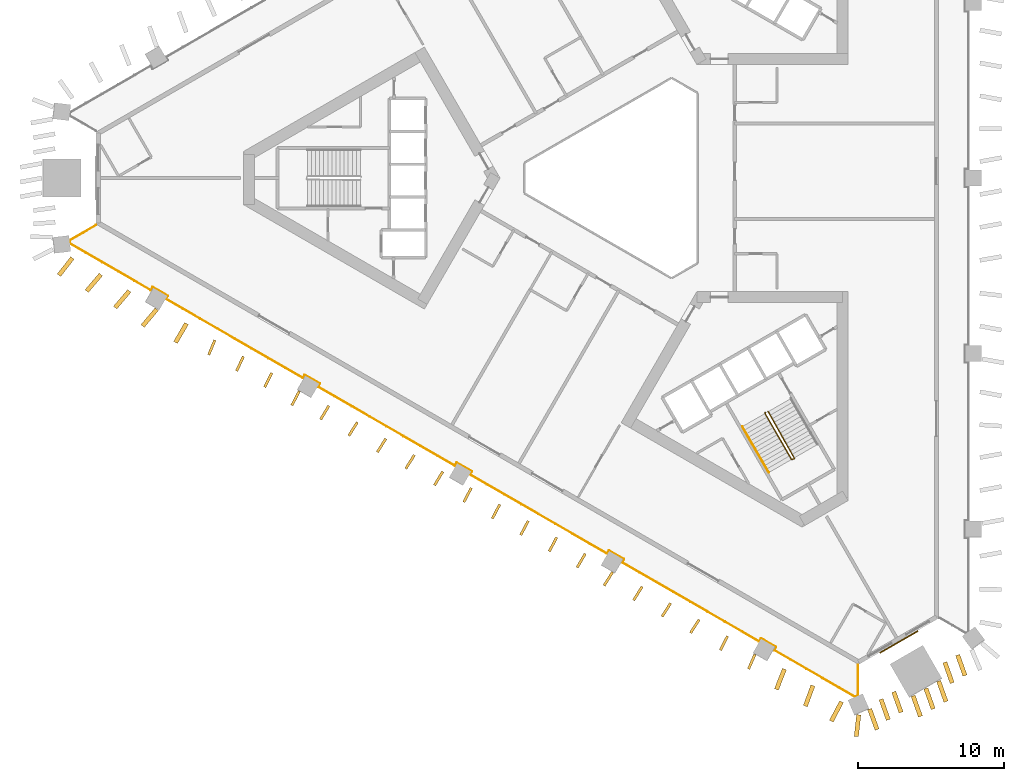
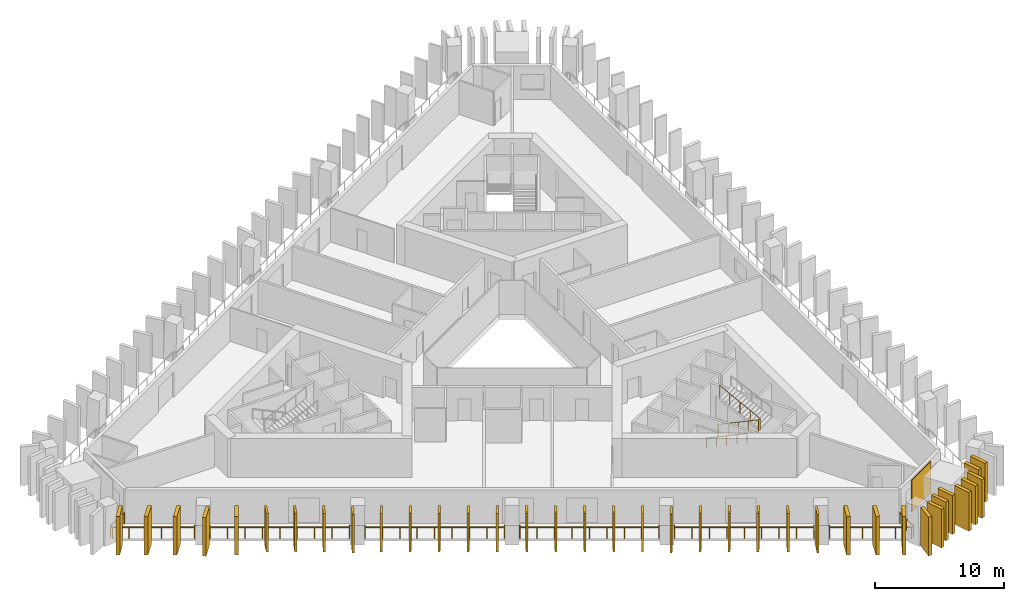
# One storey, part 7 of 10: 37 shading devices, 3 railings, 1 covering.
"""IFC4 building model written with IfcOpenShell, lengths in metres."""

from ifc_helpers import new_model, si_unit, direction, frame, frame_2d, origin, origin_2d, place, context, subcontext, project, spatial, rectangle, circle, extrude, material, layer, layer_set, type_object, element, save


model = new_model("IFC4")

# Units and contexts
model_context = context("Model", 3, precision=1e-05, world=origin(), true_north=direction((0.0, 1.0)))
body_context = subcontext(model_context, "Body", "Model", "MODEL_VIEW")
ifc_project = project(units=[si_unit("LENGTHUNIT", "METRE"), si_unit("AREAUNIT", "SQUARE_METRE"), si_unit("VOLUMEUNIT", "CUBIC_METRE"), si_unit("PLANEANGLEUNIT", "RADIAN"), si_unit("MASSUNIT", "GRAM", prefix="KILO")], contexts=[model_context])

# Site, building, storey
site_placement = place(None, origin())
site = spatial("IfcSite", under=ifc_project, at=site_placement, CompositionType="ELEMENT")
building_placement = place(site_placement, origin())
building = spatial("IfcBuilding", under=site, at=building_placement, Name="Jabali Bay Hotel Tower and Convention Centre", CompositionType="ELEMENT")
storey_placement = place(building_placement, frame((0.0, 0.0, 57.300048828125)))
storey = spatial("IfcBuildingStorey", under=building, at=storey_placement, Name="L12", CompositionType="ELEMENT", Elevation=57.300048828125)

# Railing
ifc_material_1 = material(Name="Glass", Category="glass")
railing_type_1 = type_object("IfcRailingType", Name="Loggia glass guard 1100", PredefinedType="BALUSTRADE", material=ifc_material_1)
railing_1_placement = place(storey_placement, frame((90.560302734375, 46.595703125, 0.0)))
element("IfcRailing", 1, at=railing_1_placement, inside=storey, type_object=railing_type_1, Name="Loggia glass guard L12", PredefinedType="BALUSTRADE", context=body_context, shape_type="SweptSolid", body=[
    extrude(circle(Radius=0.02490234375, at=origin_2d()), frame((0.0, 0.0, 1.0751953125), z_axis=(0.0, -1.0, 0.0), x_axis=(0.991444861374, 0.0, 0.13052619222)), (0.0, 0.0, 1.0), 2.110595703125),
    extrude(circle(Radius=0.02490234375, at=origin_2d()), frame((0.0, -2.110595703125, 1.0751953125), z_axis=(-0.918259892691, -0.395978243688, 0.0), x_axis=(0.392590594921, -0.910404052014, 0.13052619222)), (0.0, 0.0, 1.0), 0.214599609375),
    extrude(circle(Radius=0.02490234375, at=origin_2d()), frame((-0.197021484375, -2.195556640625, 1.0751953125), z_axis=(-0.866042182234, 0.499970937746, 0.0), x_axis=(-0.495693617065, -0.858633071309, 0.13052619222)), (0.0, 0.0, 1.0), 6.4072265625),
    extrude(circle(Radius=0.02490234375, at=origin_2d()), frame((-5.745849609375, 1.0078125, 1.0751953125), z_axis=(0.499919672301, 0.866071776036, 0.0), x_axis=(-0.858662411932, 0.495642790202, 0.13052619222)), (0.0, 0.0, 1.0), 0.25),
    extrude(circle(Radius=0.02490234375, at=origin_2d()), frame((-5.620849609375, 1.224365234375, 1.0751953125), z_axis=(-0.865955154139, 0.50012165622, 0.0), x_axis=(-0.495843046121, -0.858546787751, 0.13052619222)), (0.0, 0.0, 1.0), 1.199951171875),
    extrude(circle(Radius=0.02490234375, at=origin_2d()), frame((-6.659912109375, 1.824462890625, 1.0751953125), z_axis=(-0.499919672301, -0.866071776036, 0.0), x_axis=(0.858662411932, -0.495642790202, 0.13052619222)), (0.0, 0.0, 1.0), 0.25),
    extrude(circle(Radius=0.02490234375, at=origin_2d()), frame((-6.784912109375, 1.60791015625, 1.0751953125), z_axis=(-0.866022945871, 0.500004257206, 0.0), x_axis=(-0.495726651472, -0.858613999516, 0.13052619222)), (0.0, 0.0, 1.0), 10.84912109375),
    extrude(circle(Radius=0.02490234375, at=origin_2d()), frame((-16.180419921875, 7.032470703125, 1.0751953125), z_axis=(0.500342721131, 0.865827443207, 0.0), x_axis=(-0.858420169404, 0.496062219791, 0.13052619222)), (0.0, 0.0, 1.0), 0.249755859375),
    extrude(circle(Radius=0.02490234375, at=origin_2d()), frame((-16.055419921875, 7.248779296875, 1.0751953125), z_axis=(-0.866006032174, 0.500033551112, 0.0), x_axis=(-0.495755694765, -0.858597230518, 0.13052619222)), (0.0, 0.0, 1.0), 1.2001953125),
    extrude(circle(Radius=0.02490234375, at=origin_2d()), frame((-17.0947265625, 7.848876953125, 1.0751953125), z_axis=(-0.499919672301, -0.866071776036, 0.0), x_axis=(0.858662411932, -0.495642790202, 0.13052619222)), (0.0, 0.0, 1.0), 0.25),
    extrude(circle(Radius=0.02490234375, at=origin_2d()), frame((-17.2197265625, 7.63232421875, 1.0751953125), z_axis=(-0.866017319748, 0.500014001701, 0.0), x_axis=(-0.495736312602, -0.858608421524, 0.13052619222)), (0.0, 0.0, 1.0), 10.848876953125),
    extrude(circle(Radius=0.02490234375, at=origin_2d()), frame((-26.614990234375, 13.056884765625, 1.0751953125), z_axis=(0.499919672301, 0.866071776036, 0.0), x_axis=(-0.858662411932, 0.495642790202, 0.13052619222)), (0.0, 0.0, 1.0), 0.25),
    extrude(circle(Radius=0.02490234375, at=origin_2d()), frame((-26.489990234375, 13.2734375, 1.0751953125), z_axis=(-0.866094119867, 0.499880961361, 0.0), x_axis=(-0.49560441044, -0.858684564609, 0.13052619222)), (0.0, 0.0, 1.0), 1.199951171875),
    extrude(circle(Radius=0.02490234375, at=origin_2d()), frame((-27.529296875, 13.873291015625, 1.0751953125), z_axis=(-0.499919672301, -0.866071776036, 0.0), x_axis=(0.858662411932, -0.495642790202, 0.13052619222)), (0.0, 0.0, 1.0), 0.25),
    extrude(circle(Radius=0.02490234375, at=origin_2d()), frame((-27.654296875, 13.65673828125, 1.0751953125), z_axis=(-0.866022945871, 0.500004257206, 0.0), x_axis=(-0.495726651472, -0.858613999516, 0.13052619222)), (0.0, 0.0, 1.0), 10.84912109375),
    extrude(circle(Radius=0.02490234375, at=origin_2d()), frame((-37.0498046875, 19.081298828125, 1.0751953125), z_axis=(0.499919672301, 0.866071776036, 0.0), x_axis=(-0.858662411932, 0.495642790202, 0.13052619222)), (0.0, 0.0, 1.0), 0.25),
    extrude(circle(Radius=0.02490234375, at=origin_2d()), frame((-36.9248046875, 19.2978515625, 1.0751953125), z_axis=(-0.866094119867, 0.499880961361, 0.0), x_axis=(-0.49560441044, -0.858684564609, 0.13052619222)), (0.0, 0.0, 1.0), 1.199951171875),
    extrude(circle(Radius=0.02490234375, at=origin_2d()), frame((-37.964111328125, 19.897705078125, 1.0751953125), z_axis=(-0.499919672301, -0.866071776036, 0.0), x_axis=(0.858662411932, -0.495642790202, 0.13052619222)), (0.0, 0.0, 1.0), 0.25),
    extrude(circle(Radius=0.02490234375, at=origin_2d()), frame((-38.089111328125, 19.68115234375, 1.0751953125), z_axis=(-0.866017319748, 0.500014001701, 0.0), x_axis=(-0.495736312602, -0.858608421524, 0.13052619222)), (0.0, 0.0, 1.0), 10.848876953125),
    extrude(circle(Radius=0.02490234375, at=origin_2d()), frame((-47.484375, 25.105712890625, 1.0751953125), z_axis=(0.499919672301, 0.866071776036, 0.0), x_axis=(-0.858662411932, 0.495642790202, 0.13052619222)), (0.0, 0.0, 1.0), 0.25),
    extrude(circle(Radius=0.02490234375, at=origin_2d()), frame((-47.359375, 25.322265625, 1.0751953125), z_axis=(-0.866094119867, 0.499880961361, 0.0), x_axis=(-0.49560441044, -0.858684564609, 0.13052619222)), (0.0, 0.0, 1.0), 1.199951171875),
    extrude(circle(Radius=0.02490234375, at=origin_2d()), frame((-48.398681640625, 25.922119140625, 1.0751953125), z_axis=(-0.500342721131, -0.865827443207, 0.0), x_axis=(0.858420169404, -0.496062219791, 0.13052619222)), (0.0, 0.0, 1.0), 0.249755859375),
    extrude(circle(Radius=0.02490234375, at=origin_2d()), frame((-48.523681640625, 25.705810546875, 1.0751953125), z_axis=(-0.866032656711, 0.499987437352, 0.0), x_axis=(-0.495709975514, -0.858623627278, 0.13052619222)), (0.0, 0.0, 1.0), 6.406982421875),
    extrude(circle(Radius=0.02490234375, at=origin_2d()), frame((-54.072265625, 28.9091796875, 1.0751953125), z_axis=(-0.115918072513, 0.993258778197, 0.0), x_axis=(-0.984761311658, -0.114926377333, 0.13052619222)), (0.0, 0.0, 1.0), 0.21484375),
    extrude(circle(Radius=0.02490234375, at=origin_2d()), frame((-54.09716796875, 29.12255859375, 1.0751953125), z_axis=(0.866027613664, 0.499996172356, 0.0), x_axis=(-0.495718635789, 0.858618627375, 0.13052619222)), (0.0, 0.0, 1.0), 2.1103515625),
    extrude(circle(Radius=0.02001953125, at=origin_2d()), origin(), (0.0, 0.0, 1.0), 1.050048828125),
    extrude(circle(Radius=0.02001953125, at=origin_2d()), frame((0.0, -1.05517578125, 0.0)), (0.0, 0.0, 1.0), 1.050048828125),
    extrude(circle(Radius=0.02001953125, at=origin_2d()), frame((0.0, -2.110595703125, 0.0)), (0.0, 0.0, 1.0), 1.050048828125),
    extrude(circle(Radius=0.02001953125, at=origin_2d()), frame((-0.197021484375, -2.195556640625, 0.0)), (0.0, 0.0, 1.0), 1.050048828125),
    extrude(circle(Radius=0.02001953125, at=origin_2d()), frame((-1.306884765625, -1.554931640625, 0.0)), (0.0, 0.0, 1.0), 1.050048828125),
    extrude(circle(Radius=0.02001953125, at=origin_2d()), frame((-2.41650390625, -0.914306640625, 0.0)), (0.0, 0.0, 1.0), 1.050048828125),
    extrude(circle(Radius=0.02001953125, at=origin_2d()), frame((-3.5263671875, -0.2734375, 0.0)), (0.0, 0.0, 1.0), 1.050048828125),
    extrude(circle(Radius=0.02001953125, at=origin_2d()), frame((-4.635986328125, 0.3671875, 0.0)), (0.0, 0.0, 1.0), 1.050048828125),
    extrude(circle(Radius=0.02001953125, at=origin_2d()), frame((-5.745849609375, 1.0078125, 0.0)), (0.0, 0.0, 1.0), 1.050048828125),
    extrude(circle(Radius=0.02001953125, at=origin_2d()), frame((-5.620849609375, 1.224365234375, 0.0)), (0.0, 0.0, 1.0), 1.050048828125),
    extrude(circle(Radius=0.02001953125, at=origin_2d()), frame((-6.659912109375, 1.824462890625, 0.0)), (0.0, 0.0, 1.0), 1.050048828125),
    extrude(circle(Radius=0.02001953125, at=origin_2d()), frame((-6.784912109375, 1.60791015625, 0.0)), (0.0, 0.0, 1.0), 1.050048828125),
    extrude(circle(Radius=0.02001953125, at=origin_2d()), frame((-7.95947265625, 2.285888671875, 0.0)), (0.0, 0.0, 1.0), 1.050048828125),
    extrude(circle(Radius=0.02001953125, at=origin_2d()), frame((-9.1337890625, 2.964111328125, 0.0)), (0.0, 0.0, 1.0), 1.050048828125),
    extrude(circle(Radius=0.02001953125, at=origin_2d()), frame((-10.30810546875, 3.64208984375, 0.0)), (0.0, 0.0, 1.0), 1.050048828125),
    extrude(circle(Radius=0.02001953125, at=origin_2d()), frame((-11.482666015625, 4.3203125, 0.0)), (0.0, 0.0, 1.0), 1.050048828125),
    extrude(circle(Radius=0.02001953125, at=origin_2d()), frame((-12.6572265625, 4.998291015625, 0.0)), (0.0, 0.0, 1.0), 1.050048828125),
    extrude(circle(Radius=0.02001953125, at=origin_2d()), frame((-13.83154296875, 5.67626953125, 0.0)), (0.0, 0.0, 1.0), 1.050048828125),
    extrude(circle(Radius=0.02001953125, at=origin_2d()), frame((-15.005859375, 6.3544921875, 0.0)), (0.0, 0.0, 1.0), 1.050048828125),
    extrude(circle(Radius=0.02001953125, at=origin_2d()), frame((-16.180419921875, 7.032470703125, 0.0)), (0.0, 0.0, 1.0), 1.050048828125),
    extrude(circle(Radius=0.02001953125, at=origin_2d()), frame((-16.055419921875, 7.248779296875, 0.0)), (0.0, 0.0, 1.0), 1.050048828125),
    extrude(circle(Radius=0.02001953125, at=origin_2d()), frame((-17.0947265625, 7.848876953125, 0.0)), (0.0, 0.0, 1.0), 1.050048828125),
    extrude(circle(Radius=0.02001953125, at=origin_2d()), frame((-17.2197265625, 7.63232421875, 0.0)), (0.0, 0.0, 1.0), 1.050048828125),
    extrude(circle(Radius=0.02001953125, at=origin_2d()), frame((-18.39404296875, 8.310302734375, 0.0)), (0.0, 0.0, 1.0), 1.050048828125),
    extrude(circle(Radius=0.02001953125, at=origin_2d()), frame((-19.568603515625, 8.988525390625, 0.0)), (0.0, 0.0, 1.0), 1.050048828125),
    extrude(circle(Radius=0.02001953125, at=origin_2d()), frame((-20.742919921875, 9.66650390625, 0.0)), (0.0, 0.0, 1.0), 1.050048828125),
    extrude(circle(Radius=0.02001953125, at=origin_2d()), frame((-21.91748046875, 10.3447265625, 0.0)), (0.0, 0.0, 1.0), 1.050048828125),
    extrude(circle(Radius=0.02001953125, at=origin_2d()), frame((-23.091796875, 11.022705078125, 0.0)), (0.0, 0.0, 1.0), 1.050048828125),
    extrude(circle(Radius=0.02001953125, at=origin_2d()), frame((-24.26611328125, 11.70068359375, 0.0)), (0.0, 0.0, 1.0), 1.050048828125),
    extrude(circle(Radius=0.02001953125, at=origin_2d()), frame((-25.440673828125, 12.37890625, 0.0)), (0.0, 0.0, 1.0), 1.050048828125),
    extrude(circle(Radius=0.02001953125, at=origin_2d()), frame((-26.614990234375, 13.056884765625, 0.0)), (0.0, 0.0, 1.0), 1.050048828125),
    extrude(circle(Radius=0.02001953125, at=origin_2d()), frame((-26.489990234375, 13.2734375, 0.0)), (0.0, 0.0, 1.0), 1.050048828125),
    extrude(circle(Radius=0.02001953125, at=origin_2d()), frame((-27.529296875, 13.873291015625, 0.0)), (0.0, 0.0, 1.0), 1.050048828125),
    extrude(circle(Radius=0.02001953125, at=origin_2d()), frame((-27.654296875, 13.65673828125, 0.0)), (0.0, 0.0, 1.0), 1.050048828125),
    extrude(circle(Radius=0.02001953125, at=origin_2d()), frame((-28.82861328125, 14.334716796875, 0.0)), (0.0, 0.0, 1.0), 1.050048828125),
    extrude(circle(Radius=0.02001953125, at=origin_2d()), frame((-30.003173828125, 15.012939453125, 0.0)), (0.0, 0.0, 1.0), 1.050048828125),
    extrude(circle(Radius=0.02001953125, at=origin_2d()), frame((-31.177734375, 15.69091796875, 0.0)), (0.0, 0.0, 1.0), 1.050048828125),
    extrude(circle(Radius=0.02001953125, at=origin_2d()), frame((-32.35205078125, 16.369140625, 0.0)), (0.0, 0.0, 1.0), 1.050048828125),
    extrude(circle(Radius=0.02001953125, at=origin_2d()), frame((-33.5263671875, 17.047119140625, 0.0)), (0.0, 0.0, 1.0), 1.050048828125),
    extrude(circle(Radius=0.02001953125, at=origin_2d()), frame((-34.700927734375, 17.72509765625, 0.0)), (0.0, 0.0, 1.0), 1.050048828125),
    extrude(circle(Radius=0.02001953125, at=origin_2d()), frame((-35.87548828125, 18.4033203125, 0.0)), (0.0, 0.0, 1.0), 1.050048828125),
    extrude(circle(Radius=0.02001953125, at=origin_2d()), frame((-37.0498046875, 19.081298828125, 0.0)), (0.0, 0.0, 1.0), 1.050048828125),
    extrude(circle(Radius=0.02001953125, at=origin_2d()), frame((-36.9248046875, 19.2978515625, 0.0)), (0.0, 0.0, 1.0), 1.050048828125),
    extrude(circle(Radius=0.02001953125, at=origin_2d()), frame((-37.964111328125, 19.897705078125, 0.0)), (0.0, 0.0, 1.0), 1.050048828125),
    extrude(circle(Radius=0.02001953125, at=origin_2d()), frame((-38.089111328125, 19.68115234375, 0.0)), (0.0, 0.0, 1.0), 1.050048828125),
    extrude(circle(Radius=0.02001953125, at=origin_2d()), frame((-39.263427734375, 20.359130859375, 0.0)), (0.0, 0.0, 1.0), 1.050048828125),
    extrude(circle(Radius=0.02001953125, at=origin_2d()), frame((-40.43798828125, 21.037353515625, 0.0)), (0.0, 0.0, 1.0), 1.050048828125),
    extrude(circle(Radius=0.02001953125, at=origin_2d()), frame((-41.6123046875, 21.71533203125, 0.0)), (0.0, 0.0, 1.0), 1.050048828125),
    extrude(circle(Radius=0.02001953125, at=origin_2d()), frame((-42.78662109375, 22.3935546875, 0.0)), (0.0, 0.0, 1.0), 1.050048828125),
    extrude(circle(Radius=0.02001953125, at=origin_2d()), frame((-43.961181640625, 23.071533203125, 0.0)), (0.0, 0.0, 1.0), 1.050048828125),
    extrude(circle(Radius=0.02001953125, at=origin_2d()), frame((-45.135498046875, 23.74951171875, 0.0)), (0.0, 0.0, 1.0), 1.050048828125),
    extrude(circle(Radius=0.02001953125, at=origin_2d()), frame((-46.31005859375, 24.427734375, 0.0)), (0.0, 0.0, 1.0), 1.050048828125),
    extrude(circle(Radius=0.02001953125, at=origin_2d()), frame((-47.484375, 25.105712890625, 0.0)), (0.0, 0.0, 1.0), 1.050048828125),
    extrude(circle(Radius=0.02001953125, at=origin_2d()), frame((-47.359375, 25.322265625, 0.0)), (0.0, 0.0, 1.0), 1.050048828125),
    extrude(circle(Radius=0.02001953125, at=origin_2d()), frame((-48.398681640625, 25.922119140625, 0.0)), (0.0, 0.0, 1.0), 1.050048828125),
    extrude(circle(Radius=0.02001953125, at=origin_2d()), frame((-48.523681640625, 25.705810546875, 0.0)), (0.0, 0.0, 1.0), 1.050048828125),
    extrude(circle(Radius=0.02001953125, at=origin_2d()), frame((-49.63330078125, 26.346435546875, 0.0)), (0.0, 0.0, 1.0), 1.050048828125),
    extrude(circle(Radius=0.02001953125, at=origin_2d()), frame((-50.7431640625, 26.987060546875, 0.0)), (0.0, 0.0, 1.0), 1.050048828125),
    extrude(circle(Radius=0.02001953125, at=origin_2d()), frame((-51.852783203125, 27.6279296875, 0.0)), (0.0, 0.0, 1.0), 1.050048828125),
    extrude(circle(Radius=0.02001953125, at=origin_2d()), frame((-52.962646484375, 28.2685546875, 0.0)), (0.0, 0.0, 1.0), 1.050048828125),
    extrude(circle(Radius=0.02001953125, at=origin_2d()), frame((-54.072265625, 28.9091796875, 0.0)), (0.0, 0.0, 1.0), 1.050048828125),
    extrude(circle(Radius=0.02001953125, at=origin_2d()), frame((-54.09716796875, 29.12255859375, 0.0)), (0.0, 0.0, 1.0), 1.050048828125),
    extrude(circle(Radius=0.02001953125, at=origin_2d()), frame((-53.183349609375, 29.650146484375, 0.0)), (0.0, 0.0, 1.0), 1.050048828125),
    extrude(circle(Radius=0.02001953125, at=origin_2d()), frame((-52.26953125, 30.177734375, 0.0)), (0.0, 0.0, 1.0), 1.050048828125),
])

# Shading devices
ifc_material_2 = material(Name="Precast concrete C60", Category="concrete")
ifc_layer_1 = layer(ifc_material_2, 0.179931640625)
ifc_layer_set_1 = layer_set([ifc_layer_1], Name="Precast concrete C60")
shading_device_type_1 = type_object("IfcShadingDeviceType", Name="Precast fin 3680 x 1100", PredefinedType="USERDEFINED", material=ifc_layer_set_1)
shading_device_1_placement = place(storey_placement, frame((46.43359375, 68.883544921875, 0.010009765625), z_axis=(0.0, 0.0, 1.0), x_axis=(-0.385088133059, -0.922879802454, 0.0)))
element("IfcShadingDevice", 2, at=shading_device_1_placement, inside=storey, type_object=shading_device_type_1, Name="Fin L12 079", ObjectType="FIN", PredefinedType="USERDEFINED", context=body_context, shape_type="SweptSolid", body=[
    extrude(rectangle(XDim=1.099853515625, YDim=0.179931640625, at=frame_2d((0.5498046875, 0.0))), origin(), (0.0, 0.0, 1.0), 3.679931640625),
])
shading_device_2_placement = place(storey_placement, frame((48.3896484375, 67.758544921875, 0.010009765625), z_axis=(0.0, 0.0, 1.0), x_axis=(-0.424342896049, -0.905501577344, 0.0)))
element("IfcShadingDevice", 3, at=shading_device_2_placement, inside=storey, type_object=shading_device_type_1, Name="Fin L12 080", ObjectType="FIN", PredefinedType="USERDEFINED", context=body_context, shape_type="SweptSolid", body=[
    extrude(rectangle(XDim=1.10009765625, YDim=0.179931640625, at=frame_2d((0.550048828125, 0.0))), origin(), (0.0, 0.0, 1.0), 3.679931640625),
])
for number, where, z_axis, x_axis, name in (
    (4, (50.34521484375, 66.632568359375, 0.010009765625), (0.0, 0.0, 1.0), (-0.450141108626, -0.892957435898, 0.0), "Fin L12 081"),
    (5, (52.225341796875, 65.375732421875, 0.010009765625), (0.0, 0.0, 1.0), (-0.464355312958, -0.885648995555, 0.0), "Fin L12 082"),
    (6, (54.255615234375, 64.37890625, 0.010009765625), (0.0, 0.0, 1.0), (-0.515376770933, -0.856963700505, 0.0), "Fin L12 083"),
    (7, (56.208984375, 63.2490234375, 0.010009765625), (0.0, 0.0, 1.0), (-0.532271549044, -0.846573681423, 0.0), "Fin L12 084"),
):
    element("IfcShadingDevice", number, at=place(storey_placement, frame(where, z_axis=z_axis, x_axis=x_axis)), inside=storey, type_object=shading_device_type_1, Name=name, ObjectType="FIN", PredefinedType="USERDEFINED", context=body_context, shape_type="SweptSolid", body=[
        extrude(rectangle(XDim=1.099853515625, YDim=0.179931640625, at=frame_2d((0.5498046875, 0.0))), origin(), (0.0, 0.0, 1.0), 3.679931640625),
    ])
for number, where, z_axis, x_axis, name in (
    (8, (58.163330078125, 62.120849609375, 0.010009765625), (0.0, 0.0, 1.0), (-0.531753325391, -0.846899286182, 0.0), "Fin L12 085"),
    (9, (60.117431640625, 60.99267578125, 0.010009765625), (0.0, 0.0, 1.0), (-0.531334935618, -0.847161841794, 0.0), "Fin L12 086"),
    (10, (62.072509765625, 59.86572265625, 0.010009765625), (0.0, 0.0, 1.0), (-0.515800719289, -0.85670859572, 0.0), "Fin L12 087"),
    (11, (64.026123046875, 58.736083984375, 0.010009765625), (0.0, 0.0, 1.0), (-0.468040661997, -0.883706930332, 0.0), "Fin L12 088"),
    (12, (65.980224609375, 57.607666015625, 0.010009765625), (0.0, 0.0, 1.0), (-0.467867325032, -0.883798713604, 0.0), "Fin L12 089"),
    (13, (67.9345703125, 56.4794921875, 0.010009765625), (0.0, 0.0, 1.0), (-0.467867325032, -0.883798713604, 0.0), "Fin L12 090"),
    (14, (69.888916015625, 55.35107421875, 0.010009765625), (0.0, 0.0, 1.0), (-0.467867325032, -0.883798713604, 0.0), "Fin L12 091"),
):
    element("IfcShadingDevice", number, at=place(storey_placement, frame(where, z_axis=z_axis, x_axis=x_axis)), inside=storey, type_object=shading_device_type_1, Name=name, ObjectType="FIN", PredefinedType="USERDEFINED", context=body_context, shape_type="SweptSolid", body=[
        extrude(rectangle(XDim=1.10009765625, YDim=0.179931640625, at=frame_2d((0.550048828125, 0.0))), origin(), (0.0, 0.0, 1.0), 3.679931640625),
    ])
shading_device_3_placement = place(storey_placement, frame((71.844482421875, 54.225341796875, 0.010009765625), z_axis=(0.0, 0.0, 1.0), x_axis=(-0.503650189049, -0.863907684345, 0.0)))
element("IfcShadingDevice", 15, at=shading_device_3_placement, inside=storey, type_object=shading_device_type_1, Name="Fin L12 092", ObjectType="FIN", PredefinedType="USERDEFINED", context=body_context, shape_type="SweptSolid", body=[
    extrude(rectangle(XDim=1.099853515625, YDim=0.179931640625, at=frame_2d((0.5498046875, 0.0))), origin(), (0.0, 0.0, 1.0), 3.679931640625),
])
shading_device_4_placement = place(storey_placement, frame((73.722412109375, 52.964599609375, 0.010009765625), z_axis=(0.0, 0.0, 1.0), x_axis=(-0.532012444027, -0.846736534821, 0.0)))
element("IfcShadingDevice", 16, at=shading_device_4_placement, inside=storey, type_object=shading_device_type_1, Name="Fin L12 093", ObjectType="FIN", PredefinedType="USERDEFINED", context=body_context, shape_type="SweptSolid", body=[
    extrude(rectangle(XDim=1.10009765625, YDim=0.179931640625, at=frame_2d((0.550048828125, 0.0))), origin(), (0.0, 0.0, 1.0), 3.679931640625),
])
shading_device_5_placement = place(storey_placement, frame((75.75146484375, 51.966064453125, 0.010009765625), z_axis=(0.0, 0.0, 1.0), x_axis=(-0.532948668596, -0.846147573797, 0.0)))
element("IfcShadingDevice", 17, at=shading_device_5_placement, inside=storey, type_object=shading_device_type_1, Name="Fin L12 094", ObjectType="FIN", PredefinedType="USERDEFINED", context=body_context, shape_type="SweptSolid", body=[
    extrude(rectangle(XDim=1.099853515625, YDim=0.179931640625, at=frame_2d((0.5498046875, 0.0))), origin(), (0.0, 0.0, 1.0), 3.679931640625),
])
for number, where, z_axis, x_axis, name in (
    (18, (77.705810546875, 50.837646484375, 0.010009765625), (0.0, 0.0, 1.0), (-0.535453242154, -0.844564873451, 0.0), "Fin L12 095"),
    (19, (79.659912109375, 49.708984375, 0.010009765625), (0.0, 0.0, 1.0), (-0.537995189491, -0.842947908287, 0.0), "Fin L12 096"),
):
    element("IfcShadingDevice", number, at=place(storey_placement, frame(where, z_axis=z_axis, x_axis=x_axis)), inside=storey, type_object=shading_device_type_1, Name=name, ObjectType="FIN", PredefinedType="USERDEFINED", context=body_context, shape_type="SweptSolid", body=[
        extrude(rectangle(XDim=1.10009765625, YDim=0.179931640625, at=frame_2d((0.550048828125, 0.0))), origin(), (0.0, 0.0, 1.0), 3.679931640625),
    ])
shading_device_6_placement = place(storey_placement, frame((81.613525390625, 48.579833984375, 0.010009765625), z_axis=(0.0, 0.0, 1.0), x_axis=(-0.451027272115, -0.892510167902, 0.0)))
element("IfcShadingDevice", 20, at=shading_device_6_placement, inside=storey, type_object=shading_device_type_1, Name="Fin L12 097", ObjectType="FIN", PredefinedType="USERDEFINED", context=body_context, shape_type="SweptSolid", body=[
    extrude(rectangle(XDim=1.099853515625, YDim=0.179931640625, at=frame_2d((0.5498046875, 0.0))), origin(), (0.0, 0.0, 1.0), 3.679931640625),
])
shading_device_7_placement = place(storey_placement, frame((83.490478515625, 47.317626953125, 0.010009765625), z_axis=(0.0, 0.0, 1.0), x_axis=(-0.402552685733, -0.915396818439, 0.0)))
element("IfcShadingDevice", 21, at=shading_device_7_placement, inside=storey, type_object=shading_device_type_1, Name="Fin L12 098", ObjectType="FIN", PredefinedType="USERDEFINED", context=body_context, shape_type="SweptSolid", body=[
    extrude(rectangle(XDim=1.10009765625, YDim=0.179931640625, at=frame_2d((0.550048828125, 0.0))), origin(), (0.0, 0.0, 1.0), 3.679931640625),
])
ifc_layer_2 = layer(ifc_material_2, 0.300048828125)
ifc_layer_set_2 = layer_set([ifc_layer_2], Name="Precast concrete C60")
shading_device_type_2 = type_object("IfcShadingDeviceType", Name="Precast fin 3680 x 1500", PredefinedType="USERDEFINED", material=ifc_layer_set_2)
for number, where, z_axis, x_axis, name in (
    (22, (36.65771484375, 74.51708984375, 0.010009765625), (0.0, 0.0, 1.0), (-0.614458842747, -0.788948877032, 0.0), "Fin L12 074"),
    (23, (38.608642578125, 73.38330078125, 0.010009765625), (0.0, 0.0, 1.0), (-0.647931840097, -0.761698319933, 0.0), "Fin L12 075"),
    (24, (40.56298828125, 72.255126953125, 0.010009765625), (0.0, 0.0, 1.0), (-0.646963110082, -0.762521300813, 0.0), "Fin L12 076"),
    (25, (42.442626953125, 70.99755859375, 0.010009765625), (0.0, 0.0, 1.0), (-0.64360426991, -0.765358441355, 0.0), "Fin L12 077"),
    (26, (44.485107421875, 70.021728515625, 0.010009765625), (0.0, 0.0, 1.0), (-0.499482913999, -0.86632373777, 0.0), "Fin L12 078"),
):
    element("IfcShadingDevice", number, at=place(storey_placement, frame(where, z_axis=z_axis, x_axis=x_axis)), inside=storey, type_object=shading_device_type_2, Name=name, ObjectType="FIN", PredefinedType="USERDEFINED", context=body_context, shape_type="SweptSolid", body=[
        extrude(rectangle(XDim=1.5, YDim=0.300048828125, at=frame_2d((0.75, 0.0))), origin(), (0.0, 0.0, 1.0), 3.679931640625),
    ])
shading_device_8_placement = place(storey_placement, frame((85.513427734375, 46.308349609375, 0.010009765625), z_axis=(0.0, 0.0, 1.0), x_axis=(-0.365350251046, -0.930870127387, 0.0)))
element("IfcShadingDevice", 27, at=shading_device_8_placement, inside=storey, type_object=shading_device_type_2, Name="Fin L12 099", ObjectType="FIN", PredefinedType="USERDEFINED", context=body_context, shape_type="SweptSolid", body=[
    extrude(rectangle(XDim=1.500244140625, YDim=0.300048828125, at=frame_2d((0.75, 0.0))), origin(), (0.0, 0.0, 1.0), 3.679931640625),
])
for number, where, z_axis, x_axis, name in (
    (28, (87.466064453125, 45.17724609375, 0.010009765625), (0.0, 0.0, 1.0), (-0.345034018043, -0.938590180214, 0.0), "Fin L12 100"),
    (29, (89.43017578125, 44.06591796875, 0.010009765625), (0.0, 0.0, 1.0), (-0.465156030574, -0.88522870899, 0.0), "Fin L12 101"),
    (30, (91.359130859375, 43.568115234375, 0.010009765625), (0.0, 0.0, 1.0), (0.340828095467, -0.94012563487, 0.0), "Fin L12 102"),
):
    element("IfcShadingDevice", number, at=place(storey_placement, frame(where, z_axis=z_axis, x_axis=x_axis)), inside=storey, type_object=shading_device_type_2, Name=name, ObjectType="FIN", PredefinedType="USERDEFINED", context=body_context, shape_type="SweptSolid", body=[
        extrude(rectangle(XDim=1.5, YDim=0.300048828125, at=frame_2d((0.75, 0.0))), origin(), (0.0, 0.0, 1.0), 3.679931640625),
    ])
shading_device_9_placement = place(storey_placement, frame((92.138671875, 44.242431640625, 0.010009765625), z_axis=(0.0, 0.0, 1.0), x_axis=(0.335160595484, -0.942161013434, 0.0)))
element("IfcShadingDevice", 31, at=shading_device_9_placement, inside=storey, type_object=shading_device_type_2, Name="Fin L12 103", ObjectType="FIN", PredefinedType="USERDEFINED", context=body_context, shape_type="SweptSolid", body=[
    extrude(rectangle(XDim=1.499755859375, YDim=0.300048828125, at=frame_2d((0.75, 0.0))), origin(), (0.0, 0.0, 1.0), 3.679931640625),
])
for number, where, z_axis, x_axis, name in (
    (32, (93.01513671875, 44.74853515625, 0.010009765625), (0.0, 0.0, 1.0), (0.335109201498, -0.942179294546, 0.0), "Fin L12 104"),
    (33, (94.34130859375, 44.475830078125, 0.010009765625), (0.0, 0.0, 1.0), (0.335109201498, -0.942179294546, 0.0), "Fin L12 105"),
    (34, (95.2177734375, 44.98193359375, 0.010009765625), (0.0, 0.0, 1.0), (0.335109201498, -0.942179294546, 0.0), "Fin L12 106"),
    (35, (96.09423828125, 45.488037109375, 0.010009765625), (0.0, 0.0, 1.0), (0.335109201498, -0.942179294546, 0.0), "Fin L12 107"),
    (36, (96.521240234375, 46.772705078125, 0.010009765625), (0.0, 0.0, 1.0), (0.335109201498, -0.942179294546, 0.0), "Fin L12 108"),
    (37, (97.397705078125, 47.27880859375, 0.010009765625), (0.0, 0.0, 1.0), (0.335109201498, -0.942179294546, 0.0), "Fin L12 109"),
):
    element("IfcShadingDevice", number, at=place(storey_placement, frame(where, z_axis=z_axis, x_axis=x_axis)), inside=storey, type_object=shading_device_type_2, Name=name, ObjectType="FIN", PredefinedType="USERDEFINED", context=body_context, shape_type="SweptSolid", body=[
        extrude(rectangle(XDim=1.5, YDim=0.300048828125, at=frame_2d((0.75, 0.0))), origin(), (0.0, 0.0, 1.0), 3.679931640625),
    ])
shading_device_10_placement = place(storey_placement, frame((90.6103515625, 43.173583984375, 0.010009765625), z_axis=(0.0, 0.0, 1.0), x_axis=(-0.110199269672, -0.993909513469, 0.0)))
element("IfcShadingDevice", 38, at=shading_device_10_placement, inside=storey, type_object=shading_device_type_2, Name="Fin L12 116", ObjectType="FIN", PredefinedType="USERDEFINED", context=body_context, shape_type="SweptSolid", body=[
    extrude(rectangle(XDim=1.499755859375, YDim=0.300048828125, at=frame_2d((0.75, 0.0))), origin(), (0.0, 0.0, 1.0), 3.679931640625),
])

# Covering
ifc_material_3 = material(Name="Precast concrete C40/50", Category="concrete")
ifc_layer_3 = layer(ifc_material_3, 0.080078125)
ifc_layer_set_3 = layer_set([ifc_layer_3], Name="Precast concrete C40/50")
covering_type = type_object("IfcCoveringType", Name="Relief panel 3000 x 3000", PredefinedType="CLADDING", material=ifc_layer_set_3)
covering_placement = place(storey_placement, frame((93.37451171875, 48.17431640625, 0.099853515625), z_axis=(0.0, 0.0, 1.0), x_axis=(-0.866025414693, -0.499999981106, 0.0)))
element("IfcCovering", 39, at=covering_placement, inside=storey, type_object=covering_type, Name="Relief panel L12", PredefinedType="CLADDING", context=body_context, shape_type="SweptSolid", body=[
    extrude(rectangle(XDim=3.0, YDim=0.080078125, at=origin_2d()), origin(), (0.0, 0.0, 1.0), 3.0),
])

# Railings
ifc_material_4 = material(Name="Steel Q355B", Category="steel")
railing_type_2 = type_object("IfcRailingType", Name="Stair guard 1100", PredefinedType="GUARDRAIL", material=ifc_material_4)
railing_2_placement = place(storey_placement, frame((84.199951171875, 63.9150390625, 0.0)))
element("IfcRailing", 40, at=railing_2_placement, inside=storey, type_object=railing_type_2, Name="L12 ST3 stair guard 1", PredefinedType="GUARDRAIL", context=body_context, shape_type="SweptSolid", body=[
    extrude(circle(Radius=0.02392578125, at=origin_2d()), frame((0.0, 0.0, 1.076171875), z_axis=(-0.122196845461, -0.456201556387, 0.881446578591), x_axis=(0.965948051503, -0.258736085224, 0.0)), (0.0, 0.0, 1.0), 0.14990234375),
    extrude(circle(Radius=0.02392578125, at=origin_2d()), frame((-0.018310546875, -0.068359375, 1.2080078125), z_axis=(0.452190331055, -0.783190014029, 0.426775475427), x_axis=(0.866018046521, 0.500012742938, 0.0)), (0.0, 0.0, 1.0), 4.02490234375),
    extrude(circle(Radius=0.02392578125, at=origin_2d()), frame((1.8017578125, -3.220703125, 2.92578125), z_axis=(0.96121063429, 0.275815366736, 0.0), x_axis=(-0.275815366736, 0.96121063429, 0.0)), (0.0, 0.0, 1.0), 0.206298828125),
    extrude(circle(Radius=0.02392578125, at=origin_2d()), frame((2.0, -3.163818359375, 2.92578125), z_axis=(-0.436470229993, 0.780146179382, 0.448180406895), x_axis=(-0.872702246529, -0.488252792008, 0.0)), (0.0, 0.0, 1.0), 4.1279296875),
    extrude(circle(Radius=0.02099609375, at=origin_2d()), origin(), (0.0, 0.0, 1.0), 1.052001953125),
    extrude(circle(Radius=0.02099609375, at=origin_2d()), frame((-0.018310546875, -0.068359375, 0.132080078125)), (0.0, 0.0, 1.0), 1.052001953125),
    extrude(circle(Radius=0.02099609375, at=origin_2d()), frame((0.436767578125, -0.8564453125, 0.5615234375)), (0.0, 0.0, 1.0), 1.052001953125),
    extrude(circle(Radius=0.02099609375, at=origin_2d()), frame((0.8916015625, -1.64453125, 0.990966796875)), (0.0, 0.0, 1.0), 1.052001953125),
    extrude(circle(Radius=0.02099609375, at=origin_2d()), frame((1.3466796875, -2.4326171875, 1.42041015625)), (0.0, 0.0, 1.0), 1.052001953125),
    extrude(circle(Radius=0.02099609375, at=origin_2d()), frame((1.8017578125, -3.220703125, 1.849853515625)), (0.0, 0.0, 1.0), 1.052001953125),
    extrude(circle(Radius=0.02099609375, at=origin_2d()), frame((2.0, -3.163818359375, 1.849853515625)), (0.0, 0.0, 1.0), 1.052001953125),
    extrude(circle(Radius=0.02099609375, at=origin_2d()), frame((1.549560546875, -2.358642578125, 2.3125)), (0.0, 0.0, 1.0), 1.052001953125),
    extrude(circle(Radius=0.02099609375, at=origin_2d()), frame((1.09912109375, -1.5537109375, 2.77490234375)), (0.0, 0.0, 1.0), 1.052001953125),
    extrude(circle(Radius=0.02099609375, at=origin_2d()), frame((0.648681640625, -0.74853515625, 3.2373046875)), (0.0, 0.0, 1.0), 1.052001953125),
    extrude(circle(Radius=0.02099609375, at=origin_2d()), frame((0.1982421875, 0.056640625, 3.699951171875)), (0.0, 0.0, 1.0), 1.052001953125),
])
railing_type_3 = type_object("IfcRailingType", Name="Stair handrail 900", PredefinedType="HANDRAIL", material=ifc_material_4)
railing_3_placement = place(storey_placement, frame((82.622802734375, 62.94677734375, 0.132080078125)))
element("IfcRailing", 41, at=railing_3_placement, inside=storey, type_object=railing_type_3, Name="L12 ST3 stair handrail 1", PredefinedType="HANDRAIL", context=body_context, shape_type="SweptSolid", body=[
    extrude(circle(Radius=0.02392578125, at=origin_2d()), frame((0.0, 0.0, 0.8759765625), z_axis=(0.452190331055, -0.783190014029, 0.426775475427), x_axis=(0.866018046521, 0.500012742938, 0.0)), (0.0, 0.0, 1.0), 4.02490234375),
    extrude(circle(Radius=0.02099609375, at=origin_2d()), origin(), (0.0, 0.0, 1.0), 0.851806640625),
    extrude(circle(Radius=0.02099609375, at=origin_2d()), frame((0.455078125, -0.7880859375, 0.429443359375)), (0.0, 0.0, 1.0), 0.851806640625),
    extrude(circle(Radius=0.02099609375, at=origin_2d()), frame((0.91015625, -1.576171875, 0.85888671875)), (0.0, 0.0, 1.0), 0.851806640625),
    extrude(circle(Radius=0.02099609375, at=origin_2d()), frame((1.364990234375, -2.3642578125, 1.288330078125)), (0.0, 0.0, 1.0), 0.851806640625),
    extrude(circle(Radius=0.02099609375, at=origin_2d()), frame((1.820068359375, -3.15234375, 1.7177734375)), (0.0, 0.0, 1.0), 0.851806640625),
])

save(model, "model.ifc")
